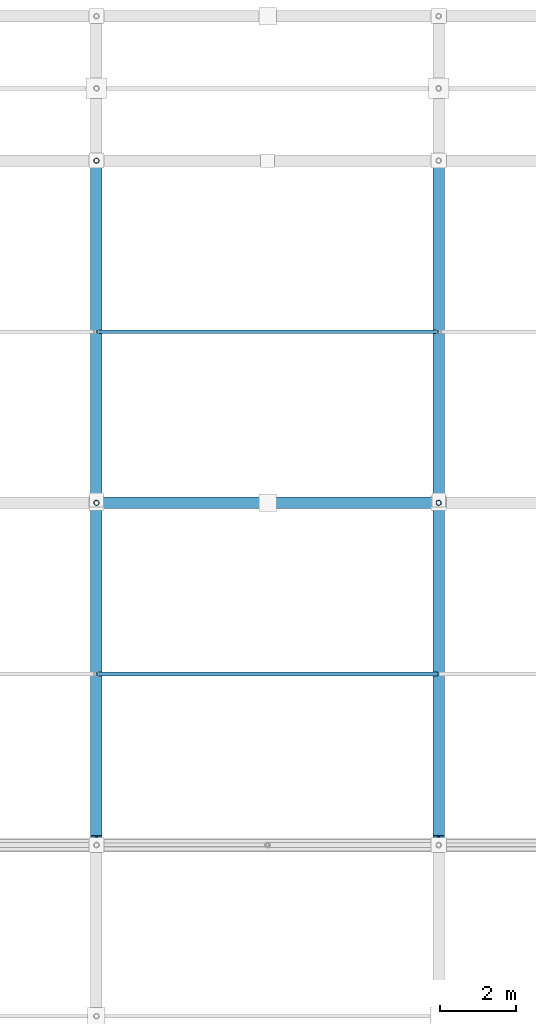
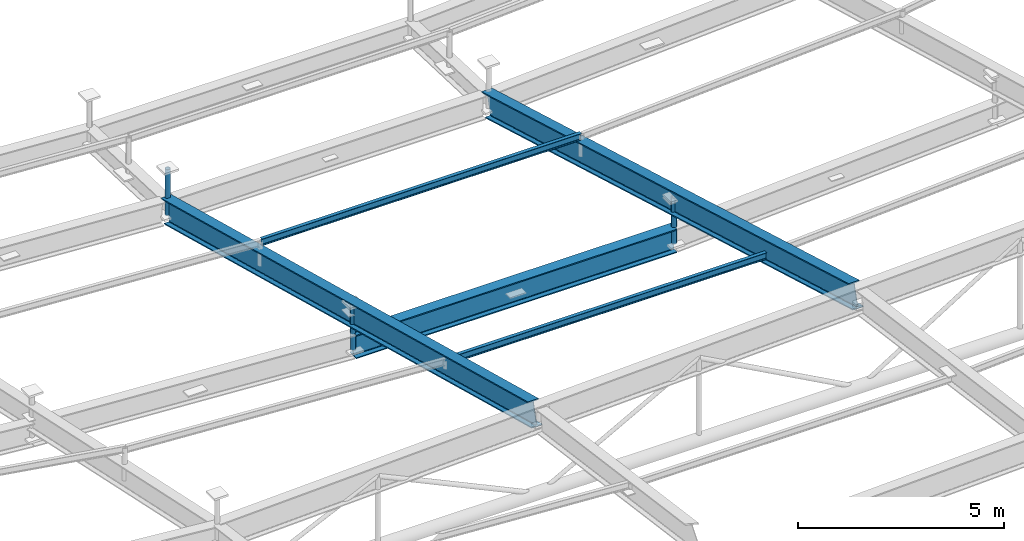
# One storey, part 44 of 80: 5 members, 3 beams.
"""IFC4 building model written with IfcOpenShell, lengths in metres."""

from ifc_helpers import new_model, si_unit, direction, frame, origin, origin_2d, place, context, subcontext, project, spatial, hollow_circle, i_section, extrude, material, material_profile, profile_set, type_object, element, save


model = new_model("IFC4")

# Units and contexts
model_context = context("Model", 3, precision=1e-05, world=origin(), true_north=direction((0.0, 1.0)))
body_context = subcontext(model_context, "Body", "Model", "MODEL_VIEW")
ifc_project = project(units=[si_unit("LENGTHUNIT", "METRE"), si_unit("AREAUNIT", "SQUARE_METRE"), si_unit("VOLUMEUNIT", "CUBIC_METRE"), si_unit("PLANEANGLEUNIT", "RADIAN"), si_unit("MASSUNIT", "GRAM", prefix="KILO")], contexts=[model_context])

# Site, building, storey
site_placement = place(None, origin())
site = spatial("IfcSite", under=ifc_project, at=site_placement, CompositionType="ELEMENT")
building_placement = place(site_placement, origin())
building = spatial("IfcBuilding", under=site, at=building_placement, Name="Barlavento Convention Centre", CompositionType="ELEMENT")
storey_placement = place(building_placement, frame((0.0, 0.0, 29.800048828125)))
storey = spatial("IfcBuildingStorey", under=building, at=storey_placement, Name="RF", CompositionType="ELEMENT", Elevation=29.800048828125)

# Beams
ifc_material_1 = material(Name="Steel S460", Category="steel")
ifc_material_profile_1 = material_profile(ifc_material_1, i_section(OverallWidth=0.300048828125, OverallDepth=0.699951171875, WebThickness=0.01708984375, FlangeThickness=0.031982421875, FilletRadius=0.027099609375, at=origin_2d()), Name="HEB 700")
ifc_profile_set_1 = profile_set([ifc_material_profile_1], Name="Steel S460")
beam_type = type_object("IfcBeamType", Name="STR-BM-TRUSS-TOP-HEB700", PredefinedType="BEAM", material=ifc_profile_set_1)
beam_1_placement = place(storey_placement, frame((27.0048828125, 45.0, -5.400146484375), z_axis=(1.0, 0.0, 0.0), x_axis=(0.0, 1.0, 0.0)))
element("IfcBeam", 1, at=beam_1_placement, inside=storey, type_object=beam_type, Name="Congress roof truss space frame chord", PredefinedType="BEAM", context=body_context, shape_type="SweptSolid", body=[
    extrude(i_section(OverallWidth=0.300048828125, OverallDepth=0.699951171875, WebThickness=0.01708984375, FlangeThickness=0.031982421875, FilletRadius=0.027099609375, at=origin_2d()), origin(), (0.0, 0.0, 1.0), 8.990234375),
])
beam_2_placement = place(storey_placement, frame((27.0, 36.155029296875, -2.0888671875), z_axis=(0.0, 0.966034316011, -0.258413815979), x_axis=(-1.0, 0.0, 0.0)))
element("IfcBeam", 2, at=beam_2_placement, inside=storey, type_object=beam_type, Name="Congress roof truss space frame chord", PredefinedType="BEAM", context=body_context, shape_type="SweptSolid", body=[
    extrude(i_section(OverallWidth=0.300048828125, OverallDepth=0.699951171875, WebThickness=0.01708984375, FlangeThickness=0.031982421875, FilletRadius=0.027099609375, at=origin_2d()), origin(), (0.0, 0.0, 1.0), 18.46728515625),
])
beam_3_placement = place(storey_placement, frame((36.0, 36.155029296875, -1.73583984375), z_axis=(0.0, 0.961123379722, -0.27611926581), x_axis=(-1.0, 0.0, 0.0)))
element("IfcBeam", 3, at=beam_3_placement, inside=storey, type_object=beam_type, Name="Congress roof truss space frame chord", PredefinedType="BEAM", context=body_context, shape_type="SweptSolid", body=[
    extrude(i_section(OverallWidth=0.300048828125, OverallDepth=0.699951171875, WebThickness=0.01708984375, FlangeThickness=0.031982421875, FilletRadius=0.027099609375, at=origin_2d()), origin(), (0.0, 0.0, 1.0), 18.561767578125),
])

# Members
ifc_material_2 = material(Name="Steel S355", Category="steel")
ifc_material_profile_2 = material_profile(ifc_material_2, hollow_circle(Radius=0.06982421875, WallThickness=0.008056640625, at=origin_2d()), Name="CHS 139.7x8.0")
ifc_profile_set_2 = profile_set([ifc_material_profile_2], Name="Steel S355")
member_type_1 = type_object("IfcMemberType", Name="STR-MEM-DIAG-CHS139", PredefinedType="BRACE", material=ifc_profile_set_2)
member_1_placement = place(storey_placement, frame((27.0, 45.0, -5.550048828125), z_axis=(0.0, 0.0, 1.0), x_axis=(1.0, 0.0, 0.0)))
element("IfcMember", 4, at=member_1_placement, inside=storey, type_object=member_type_1, Name="Congress space frame vertical node post TD04", PredefinedType="BRACE", context=body_context, shape_type="SweptSolid", body=[
    extrude(hollow_circle(Radius=0.06982421875, WallThickness=0.008056640625, at=origin_2d()), origin(), (0.0, 0.0, 1.0), 1.3701171875),
])
member_2_placement = place(storey_placement, frame((27.0, 54.0, -7.010986328125), z_axis=(0.0, 0.0, 1.0), x_axis=(1.0, 0.0, 0.0)))
element("IfcMember", 5, at=member_2_placement, inside=storey, type_object=member_type_1, Name="Congress space frame vertical node post TD04", PredefinedType="BRACE", context=body_context, shape_type="SweptSolid", body=[
    extrude(hollow_circle(Radius=0.06982421875, WallThickness=0.008056640625, at=origin_2d()), origin(), (0.0, 0.0, 1.0), 1.369873046875),
])
member_3_placement = place(storey_placement, frame((36.0, 45.0, -5.550048828125), z_axis=(0.0, 0.0, 1.0), x_axis=(1.0, 0.0, 0.0)))
element("IfcMember", 6, at=member_3_placement, inside=storey, type_object=member_type_1, Name="Congress space frame vertical node post TD04", PredefinedType="BRACE", context=body_context, shape_type="SweptSolid", body=[
    extrude(hollow_circle(Radius=0.06982421875, WallThickness=0.008056640625, at=origin_2d()), origin(), (0.0, 0.0, 1.0), 1.3701171875),
])
ifc_material_profile_3 = material_profile(ifc_material_2, i_section(OverallWidth=0.10009765625, OverallDepth=0.199951171875, WebThickness=0.005615234375, FlangeThickness=0.008544921875, FilletRadius=0.011962890625, at=origin_2d()), Name="IPE 200")
ifc_profile_set_3 = profile_set([ifc_material_profile_3], Name="Steel S355")
member_type_2 = type_object("IfcMemberType", Name="STR-MEM-PUR-IPE200", PredefinedType="PURLIN", material=ifc_profile_set_3)
for number, where, z_axis, x_axis, name in (
    (7, (27.02001953125, 40.5, -3.171142578125), (1.0, 0.0, 0.0), (0.0, 1.0, 0.0), "Congress roof intermediate purlin PR01"),
    (8, (27.02001953125, 49.5, -5.094970703125), (0.99999999406, 0.0, -0.000108991825), (0.0, 1.0, 0.0), "Congress roof intermediate purlin PR01"),
):
    element("IfcMember", number, at=place(storey_placement, frame(where, z_axis=z_axis, x_axis=x_axis)), inside=storey, type_object=member_type_2, Name=name, PredefinedType="PURLIN", context=body_context, shape_type="SweptSolid", body=[
        extrude(i_section(OverallWidth=0.10009765625, OverallDepth=0.199951171875, WebThickness=0.005615234375, FlangeThickness=0.008544921875, FilletRadius=0.011962890625, at=origin_2d()), origin(), (0.0, 0.0, 1.0), 8.9599609375),
    ])

save(model, "model.ifc")
